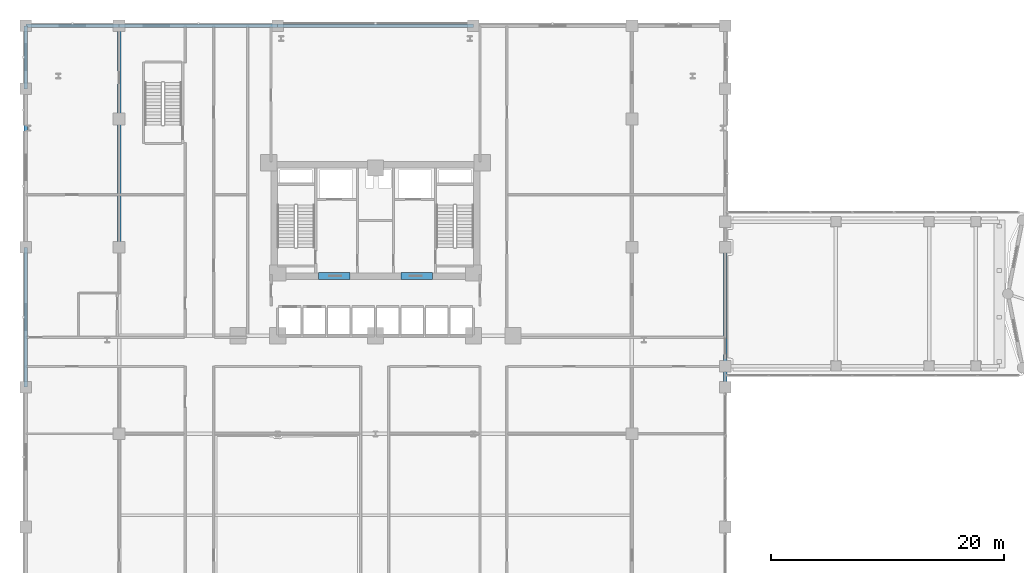
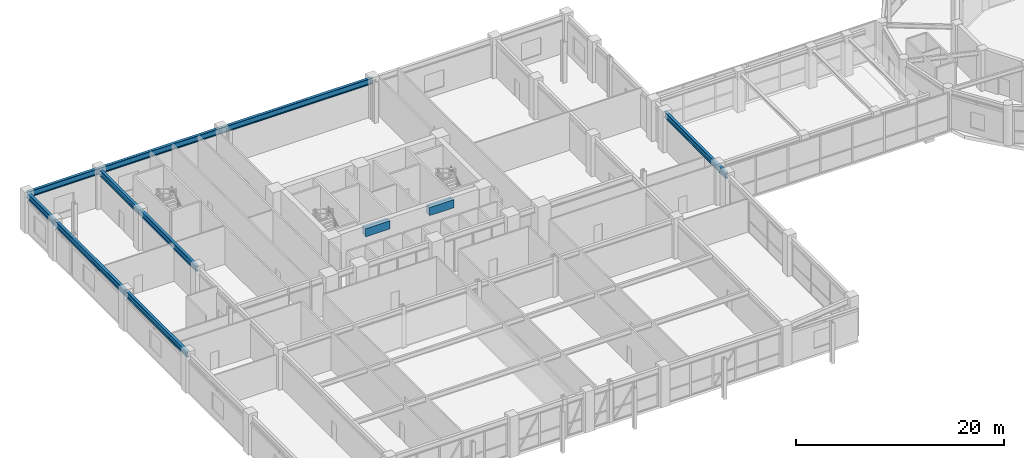
# One storey, part 18 of 48: 10 beams.
"""IFC4 building model written with IfcOpenShell, lengths in metres."""

import ifcopenshell
import ifcopenshell.guid

model = None  # the IFC model being written
_history = None  # IfcOwnerHistory: only IFC2X3 demands one
_inside = {}  # id of a spatial element -> (the spatial element, [elements in it])
_under = {}  # id of a project, library or spatial element -> (it, [spatial elements below it])
_declared = {}  # id of a project -> (the project, [libraries it declares])
_typed = {}  # id of a type object -> (the type object, [elements of that type])
_made_of = {}  # id of a material, layer set ... -> (it, [elements and type objects made of it])


def new_model(schema):
    """Start an empty IFC model of exactly this schema.

    Asked for "IFC4X3", IfcOpenShell would pick the latest addendum, in which some entities
    have other attributes; the version numbers below select the first issue.
    IFC2X3 requires an IfcOwnerHistory on every rooted entity: one is made here for all.
    """
    global model, _history
    if schema == "IFC4X3":
        model = ifcopenshell.file(schema_version=(4, 3, 0, 0))
    else:
        model = ifcopenshell.file(schema=schema)
    _inside.clear()
    _under.clear()
    _declared.clear()
    _typed.clear()
    _made_of.clear()
    _history = None
    if model.schema == "IFC2X3":
        org = make("IfcOrganization", Name="unknown")
        user = make(
            "IfcPersonAndOrganization",
            ThePerson=make("IfcPerson", FamilyName="unknown"),
            TheOrganization=org,
        )
        app = make(
            "IfcApplication",
            ApplicationDeveloper=org,
            Version="unknown",
            ApplicationFullName="unknown",
            ApplicationIdentifier="unknown",
        )
        _history = make(
            "IfcOwnerHistory",
            OwningUser=user,
            OwningApplication=app,
            ChangeAction="ADDED",
            CreationDate=0,
        )
    return model


def make(cls, **values):
    """One entity of the class cls with the attributes given. An attribute that is None is left unset."""
    return model.create_entity(
        cls, **{name: value for name, value in values.items() if value is not None}
    )


def rooted(cls, **values):
    """An entity with a GlobalId (a new one), such as an element, a storey or a relation."""
    return make(cls, GlobalId=ifcopenshell.guid.new(), OwnerHistory=_history, **values)


def si_unit(unit_type, name, prefix=None):
    """IfcSIUnit, for example si_unit("LENGTHUNIT", "METRE", prefix="MILLI")."""
    return make("IfcSIUnit", UnitType=unit_type, Prefix=prefix, Name=name)


def derived_unit(unit_type, elements):
    """IfcDerivedUnit: a product of units, each with its exponent."""
    return make(
        "IfcDerivedUnit",
        Elements=[
            make("IfcDerivedUnitElement", Unit=unit, Exponent=power)
            for unit, power in elements
        ],
        UnitType=unit_type,
    )


def assignment(units):
    """IfcUnitAssignment: the units of a project."""
    return None if units is None else make("IfcUnitAssignment", Units=units)


def point(xyz):
    """IfcCartesianPoint."""
    return None if xyz is None else make("IfcCartesianPoint", Coordinates=xyz)


def direction(xyz):
    """IfcDirection."""
    return None if xyz is None else make("IfcDirection", DirectionRatios=xyz)


def frame(location, z_axis=None, x_axis=None):
    """IfcAxis2Placement3D, a coordinate frame: its origin and axes. An axis left out is left unset."""
    return make(
        "IfcAxis2Placement3D",
        Location=point(location),
        Axis=direction(z_axis),
        RefDirection=direction(x_axis),
    )


def frame_2d(location, x_axis=None):
    """IfcAxis2Placement2D, a coordinate frame in the plane: its origin and x axis."""
    return make(
        "IfcAxis2Placement2D", Location=point(location), RefDirection=direction(x_axis)
    )


def origin():
    """The frame at (0, 0, 0) with its axes left unset."""
    return frame((0.0, 0.0, 0.0))


def origin_2d():
    """The frame at (0, 0) in the plane with its x axis left unset."""
    return frame_2d((0.0, 0.0))


def place(relative_to, where):
    """IfcLocalPlacement: puts the frame where relative to a parent placement (None: the world)."""
    return make(
        "IfcLocalPlacement", PlacementRelTo=relative_to, RelativePlacement=where
    )


def context(
    kind, dimensions, precision=None, world=None, true_north=None, identifier=None
):
    """IfcGeometricRepresentationContext, for example the 3D "Model" context."""
    return make(
        "IfcGeometricRepresentationContext",
        ContextIdentifier=identifier,
        ContextType=kind,
        CoordinateSpaceDimension=dimensions,
        Precision=precision,
        WorldCoordinateSystem=world,
        TrueNorth=true_north,
    )


def subcontext(parent, identifier, kind, view, scale=None):
    """IfcGeometricRepresentationSubContext, for example "Body" below "Model"."""
    return make(
        "IfcGeometricRepresentationSubContext",
        ContextIdentifier=identifier,
        ContextType=kind,
        ParentContext=parent,
        TargetScale=scale,
        TargetView=view,
    )


def project(units=None, contexts=None):
    """IfcProject with its units and contexts."""
    return rooted(
        "IfcProject",
        Name="project",
        RepresentationContexts=contexts,
        UnitsInContext=assignment(units),
    )


def spatial(cls, under=None, at=None, **own):
    """A site, building, storey or space (cls), placed at a placement, below another one or the project."""
    s = rooted(cls, ObjectPlacement=at, **own)
    if under is not None:
        _under.setdefault(under.id(), (under, []))[1].append(s)
    return s


def profile(cls, at=None, kind="AREA", **sizes):
    """A parametric profile (cls). Its sizes go by their IFC names, for example OverallWidth=200.0."""
    return make(cls, ProfileType=kind, Position=at, **sizes)


def rectangle(**sizes):
    """IfcRectangleProfileDef."""
    return profile("IfcRectangleProfileDef", **sizes)


def i_section(**sizes):
    """IfcIShapeProfileDef."""
    return profile("IfcIShapeProfileDef", **sizes)


def extrude(swept, where, along, depth):
    """IfcExtrudedAreaSolid: the profile swept, set in the frame where, extruded along a direction by depth."""
    return make(
        "IfcExtrudedAreaSolid",
        SweptArea=swept,
        Position=where,
        ExtrudedDirection=direction(along),
        Depth=depth,
    )


def shape(context_of_items, identifier, shape_type, items):
    """IfcShapeRepresentation: the items that make up one representation, for example the "Body"."""
    return make(
        "IfcShapeRepresentation",
        ContextOfItems=context_of_items,
        RepresentationIdentifier=identifier,
        RepresentationType=shape_type,
        Items=items,
    )


def source(mapping_origin, context_of_items, identifier, shape_type, items):
    """IfcRepresentationMap: a shape defined once, which mapped items show again and again."""
    return make(
        "IfcRepresentationMap",
        MappingOrigin=mapping_origin,
        MappedRepresentation=shape(context_of_items, identifier, shape_type, items),
    )


def transform(
    local_origin,
    x_axis=None,
    y_axis=None,
    z_axis=None,
    scale=None,
    scale2=None,
    scale3=None,
    uniform=True,
):
    """IfcCartesianTransformationOperator3D, or its non-uniform kind. x_axis, y_axis, z_axis: its Axis1, 2, 3."""
    if uniform:
        return make(
            "IfcCartesianTransformationOperator3D",
            Axis1=direction(x_axis),
            Axis2=direction(y_axis),
            LocalOrigin=point(local_origin),
            Scale=scale,
            Axis3=direction(z_axis),
        )
    return make(
        "IfcCartesianTransformationOperator3DnonUniform",
        Axis1=direction(x_axis),
        Axis2=direction(y_axis),
        LocalOrigin=point(local_origin),
        Scale=scale,
        Axis3=direction(z_axis),
        Scale2=scale2,
        Scale3=scale3,
    )


def mapped(mapping_source, mapping_target):
    """IfcMappedItem: shows the shape of a source again, moved by a transform."""
    return make(
        "IfcMappedItem", MappingSource=mapping_source, MappingTarget=mapping_target
    )


def material(Name=None, Category=None):
    """IfcMaterial."""
    return make("IfcMaterial", Name=Name, Category=Category)


def material_profile(
    of_material, cross_section, Name=None, Category=None, Priority=None
):
    """IfcMaterialProfile: a cross section and its material."""
    return make(
        "IfcMaterialProfile",
        Name=Name,
        Material=of_material,
        Profile=cross_section,
        Priority=Priority,
        Category=Category,
    )


def profile_set(profiles, Name=None, composite=None):
    """IfcMaterialProfileSet."""
    return make(
        "IfcMaterialProfileSet",
        Name=Name,
        MaterialProfiles=profiles,
        CompositeProfile=composite,
    )


def made_of(thing, what):
    """Note that an element or type object is made of a material, layer set ...; save() writes the relation."""
    if what is not None:
        _made_of.setdefault(what.id(), (what, []))[1].append(thing)
    return thing


def type_object(cls, material=None, **own):
    """A type object (cls), such as IfcWallType, which elements share."""
    return made_of(rooted(cls, **own), material)


def element(
    cls,
    number,
    at=None,
    inside=None,
    cuts=None,
    type_object=None,
    material=None,
    context=None,
    identifier="Body",
    shape_type=None,
    held_by="IfcProductDefinitionShape",
    body=None,
    shapes=None,
    **own,
):
    """One element of the class cls, such as IfcWall. Its Tag is "e" and its number.

    at: its placement. inside: the storey or other place that contains it. cuts: it is an
    opening in that element (IfcRelVoidsElement). A single representation is given by context,
    identifier, shape_type and body (its items); several are given by shapes. held_by: the class
    of the entity that holds the representations. save() writes the other relations.
    """
    e = rooted(cls, Tag="e%d" % number, ObjectPlacement=at, **own)
    if body is not None:
        shapes = [shape(context, identifier, shape_type, body)]
    if shapes is not None:
        e.Representation = make(held_by, Representations=shapes)
    if inside is not None:
        _inside.setdefault(inside.id(), (inside, []))[1].append(e)
    if cuts is not None:
        rooted(
            "IfcRelVoidsElement", RelatingBuildingElement=cuts, RelatedOpeningElement=e
        )
    if type_object is not None:
        _typed.setdefault(type_object.id(), (type_object, []))[1].append(e)
    return made_of(e, material)


def aggregate(whole, parts):
    """IfcRelAggregates: a whole, such as a stair, and the parts it consists of."""
    return rooted("IfcRelAggregates", RelatingObject=whole, RelatedObjects=parts)


def save(model, path):
    """Write the relations noted so far, then the file.

    IfcRelAggregates (storeys below a building ...), IfcRelContainedInSpatialStructure (elements
    in a storey), IfcRelDefinesByType, IfcRelAssociatesMaterial and IfcRelDeclares: one each for
    every whole, place, type object, material and project.
    """
    for whole, parts in _under.values():
        aggregate(whole, parts)
    for where, things in _inside.values():
        rooted(
            "IfcRelContainedInSpatialStructure",
            RelatedElements=things,
            RelatingStructure=where,
        )
    for kind, things in _typed.values():
        rooted("IfcRelDefinesByType", RelatedObjects=things, RelatingType=kind)
    for what, things in _made_of.values():
        rooted("IfcRelAssociatesMaterial", RelatedObjects=things, RelatingMaterial=what)
    for by, libraries in _declared.values():
        rooted("IfcRelDeclares", RelatingContext=by, RelatedDefinitions=libraries)
    model.write(path)


model = new_model("IFC4")

# Units and contexts
model_context = context("Model", 3, precision=1e-05, world=origin(), true_north=direction((0.0, 1.0)))
body_context = subcontext(model_context, "Body", "Model", "MODEL_VIEW")
ifc_project = project(units=[si_unit("LENGTHUNIT", "METRE"), si_unit("AREAUNIT", "SQUARE_METRE"), si_unit("VOLUMEUNIT", "CUBIC_METRE"), si_unit("PLANEANGLEUNIT", "RADIAN"), si_unit("MASSUNIT", "GRAM", prefix="KILO"), derived_unit("THERMALTRANSMITTANCEUNIT", [(si_unit("POWERUNIT", "WATT"), 1), (si_unit("LENGTHUNIT", "METRE"), -2), (si_unit("THERMODYNAMICTEMPERATUREUNIT", "KELVIN"), -1)])], contexts=[model_context])

# Site, building, storey
site_placement = place(None, origin())
site = spatial("IfcSite", under=ifc_project, at=site_placement, CompositionType="ELEMENT")
building_placement = place(site_placement, origin())
building = spatial("IfcBuilding", under=site, at=building_placement, Name="Korsvarv Bourse and Concert Hall", CompositionType="ELEMENT")
storey_placement = place(building_placement, frame((0.0, 0.0, 4.800048828125)))
storey = spatial("IfcBuildingStorey", under=building, at=storey_placement, Name="L01", CompositionType="ELEMENT", Elevation=4.800048828125)

# Beams
ifc_material_1 = material(Name="Concrete C55/67", Category="concrete")
ifc_material_profile_1 = material_profile(ifc_material_1, rectangle(XDim=0.60009765625, YDim=0.949951171875, at=origin_2d()), Name="RC-BM 600x950")
ifc_profile_set_1 = profile_set([ifc_material_profile_1], Name="Concrete C55/67")
beam_type_1 = type_object("IfcBeamType", Name="BM-CPL", PredefinedType="LINTEL", material=ifc_profile_set_1)
shared_shape_1 = source(origin(), body_context, "Body", "SweptSolid", [
    extrude(rectangle(XDim=0.60009765625, YDim=0.949951171875, at=origin_2d()), origin(), (0.0, 0.0, 1.0), 2.699951171875),
])
for number, where, z_axis, x_axis, name in (
    (1, (31.10009765625, 37.52490234375, 4.044921875), (1.0, 0.0, 0.0), (0.0, 1.0, 0.0), "L01 Core Coupling Beam West"),
    (2, (38.199951171875, 37.52490234375, 4.044921875), (1.0, 0.0, 0.0), (0.0, 1.0, 0.0), "L01 Core Coupling Beam East"),
):
    element("IfcBeam", number, at=place(storey_placement, frame(where, z_axis=z_axis, x_axis=x_axis)), inside=storey, type_object=beam_type_1, Name=name, PredefinedType="LINTEL", context=body_context, shape_type="MappedRepresentation", body=[
        mapped(shared_shape_1, transform((0.0, 0.0, 0.0), scale=1.0)),
    ])
ifc_material_2 = material(Name="Steel S355", Category="steel")
ifc_material_profile_2 = material_profile(ifc_material_2, i_section(OverallWidth=0.300048828125, OverallDepth=0.699951171875, WebThickness=0.01708984375, FlangeThickness=0.031982421875, FilletRadius=0.027099609375, at=origin_2d()), Name="HEB 700")
ifc_profile_set_2 = profile_set([ifc_material_profile_2], Name="Steel S355")
beam_type_2 = type_object("IfcBeamType", Name="BM-HEB700", PredefinedType="BEAM", material=ifc_profile_set_2)
shared_shape_2 = source(origin(), body_context, "Body", "SweptSolid", [
    extrude(i_section(OverallWidth=0.300048828125, OverallDepth=0.699951171875, WebThickness=0.01708984375, FlangeThickness=0.031982421875, FilletRadius=0.027099609375, at=origin_2d()), origin(), (0.0, 0.0, 1.0), 12.0),
])
for number, where, z_axis, x_axis, name in (
    (3, (6.0, 28.0, 4.169921875), (0.0, 1.0, 0.0), (-1.0, 0.0, 0.0), "L01 beam B-03"),
    (4, (66.0, 28.0, 4.169921875), (0.0, 1.0, 0.0), (-1.0, 0.0, 0.0), "L01 beam B-03"),
):
    element("IfcBeam", number, at=place(storey_placement, frame(where, z_axis=z_axis, x_axis=x_axis)), inside=storey, type_object=beam_type_2, Name=name, PredefinedType="BEAM", context=body_context, shape_type="MappedRepresentation", body=[
        mapped(shared_shape_2, transform((0.0, 0.0, 0.0), scale=1.0)),
    ])
shared_shape_3 = source(origin(), body_context, "Body", "SweptSolid", [
    extrude(i_section(OverallWidth=0.300048828125, OverallDepth=0.699951171875, WebThickness=0.01708984375, FlangeThickness=0.031982421875, FilletRadius=0.027099609375, at=origin_2d()), origin(), (0.0, 0.0, 1.0), 13.60009765625),
])
for number, where, z_axis, x_axis, name in (
    (5, (6.0, 40.0, 4.169921875), (0.0, 1.0, 0.0), (-1.0, 0.0, 0.0), "L01 beam B-03"),
    (6, (14.0, 59.0, 4.169921875), (1.0, 0.0, 0.0), (0.0, 1.0, 0.0), "L01 beam B-03"),
):
    element("IfcBeam", number, at=place(storey_placement, frame(where, z_axis=z_axis, x_axis=x_axis)), inside=storey, type_object=beam_type_2, Name=name, PredefinedType="BEAM", context=body_context, shape_type="MappedRepresentation", body=[
        mapped(shared_shape_3, transform((0.0, 0.0, 0.0), scale=1.0)),
    ])
shared_shape_4 = source(origin(), body_context, "Body", "SweptSolid", [
    extrude(i_section(OverallWidth=0.300048828125, OverallDepth=0.699951171875, WebThickness=0.01708984375, FlangeThickness=0.031982421875, FilletRadius=0.027099609375, at=origin_2d()), origin(), (0.0, 0.0, 1.0), 5.39990234375),
])
beam_1_placement = place(storey_placement, frame((6.0, 53.60009765625, 4.169921875), z_axis=(0.0, 1.0, 0.0), x_axis=(-1.0, 0.0, 0.0)))
element("IfcBeam", 7, at=beam_1_placement, inside=storey, type_object=beam_type_2, Name="L01 beam B-03", PredefinedType="BEAM", context=body_context, shape_type="MappedRepresentation", body=[
    mapped(shared_shape_4, transform((0.0, 0.0, 0.0), scale=1.0)),
])
shared_shape_5 = source(origin(), body_context, "Body", "SweptSolid", [
    extrude(i_section(OverallWidth=0.300048828125, OverallDepth=0.699951171875, WebThickness=0.01708984375, FlangeThickness=0.031982421875, FilletRadius=0.027099609375, at=origin_2d()), origin(), (0.0, 0.0, 1.0), 8.0),
])
beam_2_placement = place(storey_placement, frame((6.0, 59.0, 4.169921875), z_axis=(1.0, 0.0, 0.0), x_axis=(0.0, 1.0, 0.0)))
element("IfcBeam", 8, at=beam_2_placement, inside=storey, type_object=beam_type_2, Name="L01 beam B-03", PredefinedType="BEAM", context=body_context, shape_type="MappedRepresentation", body=[
    mapped(shared_shape_5, transform((0.0, 0.0, 0.0), scale=1.0)),
])
shared_shape_6 = source(origin(), body_context, "Body", "SweptSolid", [
    extrude(i_section(OverallWidth=0.300048828125, OverallDepth=0.699951171875, WebThickness=0.01708984375, FlangeThickness=0.031982421875, FilletRadius=0.027099609375, at=origin_2d()), origin(), (0.0, 0.0, 1.0), 16.7998046875),
])
beam_3_placement = place(storey_placement, frame((27.60009765625, 59.0, 4.169921875), z_axis=(1.0, 0.0, 0.0), x_axis=(0.0, 1.0, 0.0)))
element("IfcBeam", 9, at=beam_3_placement, inside=storey, type_object=beam_type_2, Name="L01 beam B-03", PredefinedType="BEAM", context=body_context, shape_type="MappedRepresentation", body=[
    mapped(shared_shape_6, transform((0.0, 0.0, 0.0), scale=1.0)),
])
shared_shape_7 = source(origin(), body_context, "Body", "SweptSolid", [
    extrude(i_section(OverallWidth=0.300048828125, OverallDepth=0.699951171875, WebThickness=0.01708984375, FlangeThickness=0.031982421875, FilletRadius=0.027099609375, at=origin_2d()), origin(), (0.0, 0.0, 1.0), 19.0),
])
beam_4_placement = place(storey_placement, frame((14.0, 40.0, 4.169921875), z_axis=(0.0, 1.0, 0.0), x_axis=(-1.0, 0.0, 0.0)))
element("IfcBeam", 10, at=beam_4_placement, inside=storey, type_object=beam_type_2, Name="L01 beam B-03", PredefinedType="BEAM", context=body_context, shape_type="MappedRepresentation", body=[
    mapped(shared_shape_7, transform((0.0, 0.0, 0.0), scale=1.0)),
])

save(model, "model.ifc")
